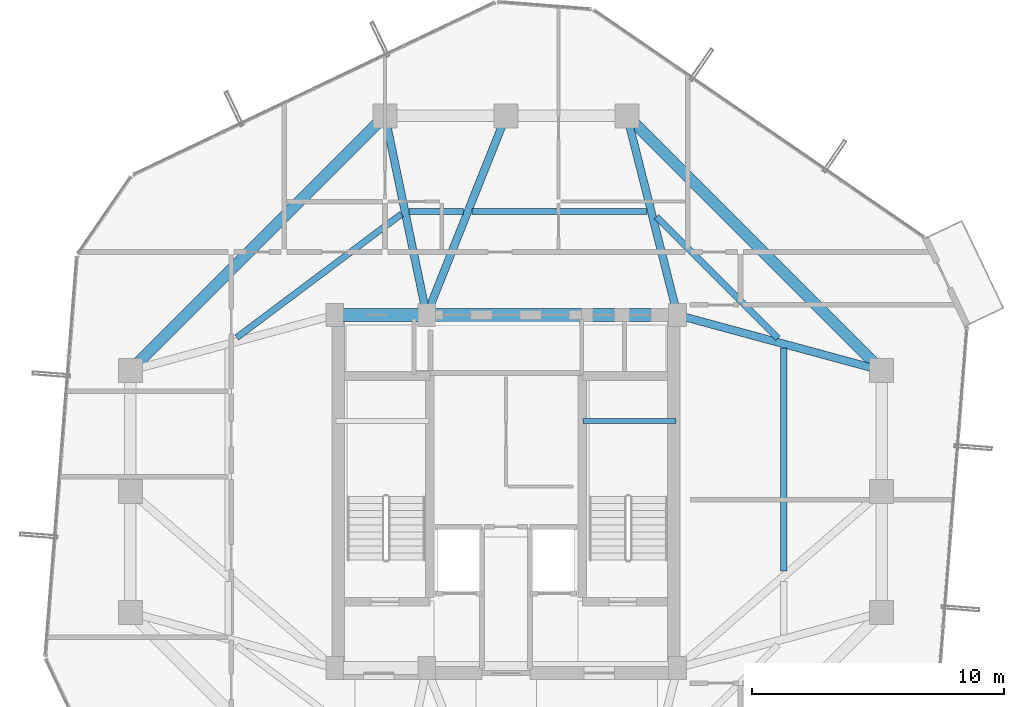
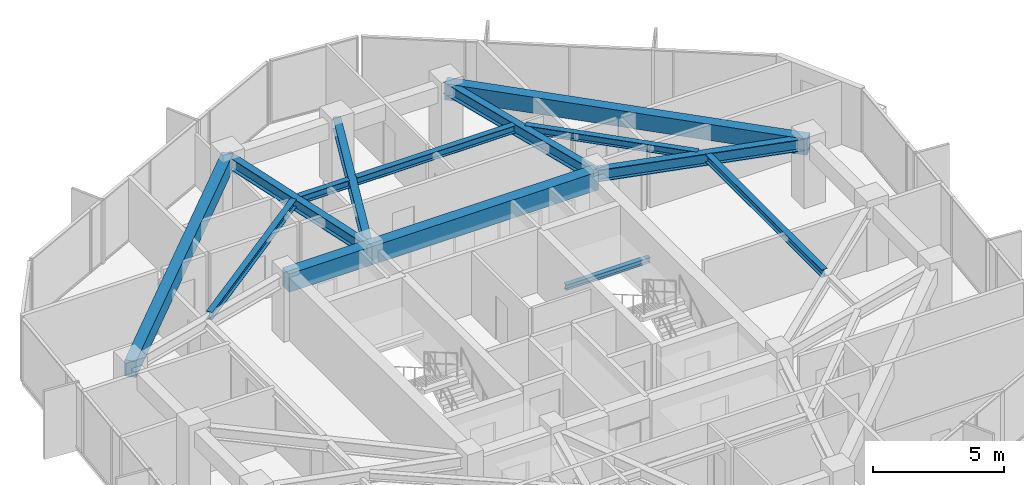
# One storey, part 13 of 29: 14 beams.
"""IFC4 building model written with IfcOpenShell, lengths in metres."""

from ifc_helpers import new_model, si_unit, direction, frame, origin, origin_2d, place, context, subcontext, project, spatial, rectangle, i_section, extrude, material, material_profile, profile_set, type_object, element, save


model = new_model("IFC4")

# Units and contexts
model_context = context("Model", 3, precision=1e-05, world=origin(), true_north=direction((0.0, 1.0)))
body_context = subcontext(model_context, "Body", "Model", "MODEL_VIEW")
ifc_project = project(units=[si_unit("LENGTHUNIT", "METRE"), si_unit("AREAUNIT", "SQUARE_METRE"), si_unit("VOLUMEUNIT", "CUBIC_METRE"), si_unit("PLANEANGLEUNIT", "RADIAN"), si_unit("MASSUNIT", "GRAM", prefix="KILO")], contexts=[model_context])

# Site, building, storey
site_placement = place(None, origin())
site = spatial("IfcSite", under=ifc_project, at=site_placement, CompositionType="ELEMENT")
building_placement = place(site_placement, origin())
building = spatial("IfcBuilding", under=site, at=building_placement, Name="Veraguas Prism Commons", CompositionType="ELEMENT")
storey_placement = place(building_placement, frame((0.0, 0.0, 222.14990234375)))
storey = spatial("IfcBuildingStorey", under=building, at=storey_placement, Name="L63", CompositionType="ELEMENT", Elevation=222.14990234375)

# Beams
ifc_material_1 = material(Name="Concrete C50/60", Category="concrete")
ifc_material_profile_1 = material_profile(ifc_material_1, rectangle(XDim=0.5, YDim=0.85009765625, at=origin_2d()), Name="RC500X850")
ifc_profile_set_1 = profile_set([ifc_material_profile_1], Name="Concrete C50/60")
beam_type_1 = type_object("IfcBeamType", Name="Core Coupling Beam RC 500x850", PredefinedType="BEAM", material=ifc_profile_set_1)
beam_1_placement = place(storey_placement, frame((17.199951171875, 31.0, 2.505126953125), z_axis=(1.0, 0.0, 0.0), x_axis=(0.0, 1.0, 0.0)))
element("IfcBeam", 1, at=beam_1_placement, inside=storey, type_object=beam_type_1, Name="Core Coupling Beam L63-CRN1", PredefinedType="BEAM", context=body_context, shape_type="SweptSolid", body=[
    extrude(rectangle(XDim=0.5, YDim=0.85009765625, at=origin_2d()), origin(), (0.0, 0.0, 1.0), 3.650146484375),
])
beam_2_placement = place(storey_placement, frame((20.85009765625, 31.0, 2.505126953125), z_axis=(1.0, 0.0, 0.0), x_axis=(0.0, 1.0, 0.0)))
element("IfcBeam", 2, at=beam_2_placement, inside=storey, type_object=beam_type_1, Name="Core Coupling Beam L63-CRN2", PredefinedType="BEAM", context=body_context, shape_type="SweptSolid", body=[
    extrude(rectangle(XDim=0.5, YDim=0.85009765625, at=origin_2d()), origin(), (0.0, 0.0, 1.0), 9.949951171875),
])
ifc_material_profile_2 = material_profile(ifc_material_1, rectangle(XDim=0.449951171875, YDim=0.75, at=origin_2d()), Name="RC450X750")
ifc_profile_set_2 = profile_set([ifc_material_profile_2], Name="Concrete C50/60")
beam_type_2 = type_object("IfcBeamType", Name="Perimeter Spandrel Upper RC 450x750", PredefinedType="SPANDREL", material=ifc_profile_set_2)
for number, where, z_axis, x_axis, name in (
    (3, (38.89990234375, 28.800048828125, 2.55517578125), (-0.707106781187, 0.707106781187, 0.0), (-0.707106781187, -0.707106781187, 0.0), "Perimeter Spandrel Beam L63-SP03"),
    (4, (19.199951171875, 38.89990234375, 2.55517578125), (-0.707106781187, -0.707106781187, 0.0), (0.707106781187, -0.707106781187, 0.0), "Perimeter Spandrel Beam L63-SP06"),
):
    element("IfcBeam", number, at=place(storey_placement, frame(where, z_axis=z_axis, x_axis=x_axis)), inside=storey, type_object=beam_type_2, Name=name, PredefinedType="SPANDREL", context=body_context, shape_type="SweptSolid", body=[
        extrude(rectangle(XDim=0.449951171875, YDim=0.75, at=origin_2d()), origin(), (0.0, 0.0, 1.0), 14.283447265625),
    ])
ifc_material_2 = material(Name="Steel ASTM A992 Grade 50", Category="steel")
ifc_material_profile_3 = material_profile(ifc_material_2, i_section(OverallWidth=0.202880859375, OverallDepth=0.251953125, WebThickness=0.008056640625, FlangeThickness=0.013427734375, at=origin_2d()), Name="W250X58")
ifc_profile_set_3 = profile_set([ifc_material_profile_3], Name="Steel ASTM A992 Grade 50")
beam_type_3 = type_object("IfcBeamType", Name="Structural Opening Lintel W250x58", PredefinedType="LINTEL", material=ifc_profile_set_3)
beam_3_placement = place(storey_placement, frame((27.050048828125, 26.800048828125, 1.299072265625), z_axis=(1.0, 0.0, 0.0), x_axis=(0.0, 1.0, 0.0)))
element("IfcBeam", 5, at=beam_3_placement, inside=storey, type_object=beam_type_3, Name="Stair ST-02 Half-Landing Support Beam L63-1", PredefinedType="LINTEL", context=body_context, shape_type="SweptSolid", body=[
    extrude(i_section(OverallWidth=0.202880859375, OverallDepth=0.251953125, WebThickness=0.008056640625, FlangeThickness=0.013427734375, at=origin_2d()), origin(), (0.0, 0.0, 1.0), 3.699951171875),
])
ifc_material_profile_4 = material_profile(ifc_material_2, i_section(OverallWidth=0.25390625, OverallDepth=0.35302734375, WebThickness=0.009521484375, FlangeThickness=0.016357421875, at=origin_2d()), Name="W360X91")
ifc_profile_set_4 = profile_set([ifc_material_profile_4], Name="Steel ASTM A992 Grade 50")
beam_type_4 = type_object("IfcBeamType", Name="Upper Floor Joist W360x91", PredefinedType="JOIST", material=ifc_profile_set_4)
beam_4_placement = place(storey_placement, frame((35.011962890625, 20.843017578125, 2.753662109375), z_axis=(0.0, 1.0, 0.0), x_axis=(-1.0, 0.0, 0.0)))
element("IfcBeam", 6, at=beam_4_placement, inside=storey, type_object=beam_type_4, Name="Composite Floor Joist L63-JS02", PredefinedType="JOIST", context=body_context, shape_type="SweptSolid", body=[
    extrude(i_section(OverallWidth=0.25390625, OverallDepth=0.35302734375, WebThickness=0.009521484375, FlangeThickness=0.016357421875, at=origin_2d()), origin(), (0.0, 0.0, 1.0), 8.85400390625),
])
beam_5_placement = place(storey_placement, frame((34.793701171875, 30.074462890625, 2.753662109375), z_axis=(-0.707124682851, 0.707088879069, 0.0), x_axis=(-0.707088879069, -0.707124682851, 0.0)))
element("IfcBeam", 7, at=beam_5_placement, inside=storey, type_object=beam_type_4, Name="Composite Floor Joist L63-JS03", PredefinedType="JOIST", context=body_context, shape_type="SweptSolid", body=[
    extrude(i_section(OverallWidth=0.25390625, OverallDepth=0.35302734375, WebThickness=0.009521484375, FlangeThickness=0.016357421875, at=origin_2d()), origin(), (0.0, 0.0, 1.0), 6.81884765625),
])
beam_6_placement = place(storey_placement, frame((29.601806640625, 35.10791015625, 2.753662109375), z_axis=(-1.0, 0.0, 0.0), x_axis=(0.0, -1.0, 0.0)))
element("IfcBeam", 8, at=beam_6_placement, inside=storey, type_object=beam_type_4, Name="Composite Floor Joist L63-JS04", PredefinedType="JOIST", context=body_context, shape_type="SweptSolid", body=[
    extrude(i_section(OverallWidth=0.25390625, OverallDepth=0.35302734375, WebThickness=0.009521484375, FlangeThickness=0.016357421875, at=origin_2d()), origin(), (0.0, 0.0, 1.0), 6.948486328125),
])
beam_7_placement = place(storey_placement, frame((22.32275390625, 35.10791015625, 2.753662109375), z_axis=(-1.0, 0.0, 0.0), x_axis=(0.0, -1.0, 0.0)))
element("IfcBeam", 9, at=beam_7_placement, inside=storey, type_object=beam_type_4, Name="Composite Floor Joist L63-JS05", PredefinedType="JOIST", context=body_context, shape_type="SweptSolid", body=[
    extrude(i_section(OverallWidth=0.25390625, OverallDepth=0.35302734375, WebThickness=0.009521484375, FlangeThickness=0.016357421875, at=origin_2d()), origin(), (0.0, 0.0, 1.0), 2.174072265625),
])
beam_8_placement = place(storey_placement, frame((19.8564453125, 35.00634765625, 2.753662109375), z_axis=(-0.800060962004, -0.599918708724, 0.0), x_axis=(0.599918708724, -0.800060962004, 0.0)))
element("IfcBeam", 10, at=beam_8_placement, inside=storey, type_object=beam_type_4, Name="Composite Floor Joist L63-JS06", PredefinedType="JOIST", context=body_context, shape_type="SweptSolid", body=[
    extrude(i_section(OverallWidth=0.25390625, OverallDepth=0.35302734375, WebThickness=0.009521484375, FlangeThickness=0.016357421875, at=origin_2d()), origin(), (0.0, 0.0, 1.0), 8.169189453125),
])
ifc_material_profile_5 = material_profile(ifc_material_2, i_section(OverallWidth=0.31103515625, OverallDepth=0.5458984375, WebThickness=0.0146484375, FlangeThickness=0.023681640625, at=origin_2d()), Name="W530X165")
ifc_profile_set_5 = profile_set([ifc_material_profile_5], Name="Steel ASTM A992 Grade 50")
beam_type_5 = type_object("IfcBeamType", Name="Zone 3 Radial Girder W530x165", PredefinedType="BEAM", material=ifc_profile_set_5)
beam_9_placement = place(storey_placement, frame((38.89990234375, 28.800048828125, 2.656982421875), z_axis=(-0.965038506703, 0.262108146725, 0.0), x_axis=(-0.262108146725, -0.965038506703, 0.0)))
element("IfcBeam", 11, at=beam_9_placement, inside=storey, type_object=beam_type_5, Name="Radial Floor Girder L63-RD03", PredefinedType="BEAM", context=body_context, shape_type="SweptSolid", body=[
    extrude(i_section(OverallWidth=0.31103515625, OverallDepth=0.5458984375, WebThickness=0.0146484375, FlangeThickness=0.023681640625, at=origin_2d()), origin(), (0.0, 0.0, 1.0), 8.393310546875),
])
beam_10_placement = place(storey_placement, frame((28.800048828125, 38.89990234375, 2.656982421875), z_axis=(0.245424718066, -0.969415652732, 0.0), x_axis=(0.969415652732, 0.245424718066, 0.0)))
element("IfcBeam", 12, at=beam_10_placement, inside=storey, type_object=beam_type_5, Name="Radial Floor Girder L63-RD04", PredefinedType="BEAM", context=body_context, shape_type="SweptSolid", body=[
    extrude(i_section(OverallWidth=0.31103515625, OverallDepth=0.5458984375, WebThickness=0.0146484375, FlangeThickness=0.023681640625, at=origin_2d()), origin(), (0.0, 0.0, 1.0), 8.149169921875),
])
beam_11_placement = place(storey_placement, frame((24.0, 38.89990234375, 2.656982421875), z_axis=(-0.370370877803, -0.928883960931, 0.0), x_axis=(0.928883960931, -0.370370877803, 0.0)))
element("IfcBeam", 13, at=beam_11_placement, inside=storey, type_object=beam_type_5, Name="Radial Floor Girder L63-RD05", PredefinedType="BEAM", context=body_context, shape_type="SweptSolid", body=[
    extrude(i_section(OverallWidth=0.31103515625, OverallDepth=0.5458984375, WebThickness=0.0146484375, FlangeThickness=0.023681640625, at=origin_2d()), origin(), (0.0, 0.0, 1.0), 8.504638671875),
])
beam_12_placement = place(storey_placement, frame((19.199951171875, 38.89990234375, 2.656982421875), z_axis=(0.204468851168, -0.978873070884, 0.0), x_axis=(0.978873070884, 0.204468851168, 0.0)))
element("IfcBeam", 14, at=beam_12_placement, inside=storey, type_object=beam_type_5, Name="Radial Floor Girder L63-RD06", PredefinedType="BEAM", context=body_context, shape_type="SweptSolid", body=[
    extrude(i_section(OverallWidth=0.31103515625, OverallDepth=0.5458984375, WebThickness=0.0146484375, FlangeThickness=0.023681640625, at=origin_2d()), origin(), (0.0, 0.0, 1.0), 8.0703125),
])

save(model, "model.ifc")
